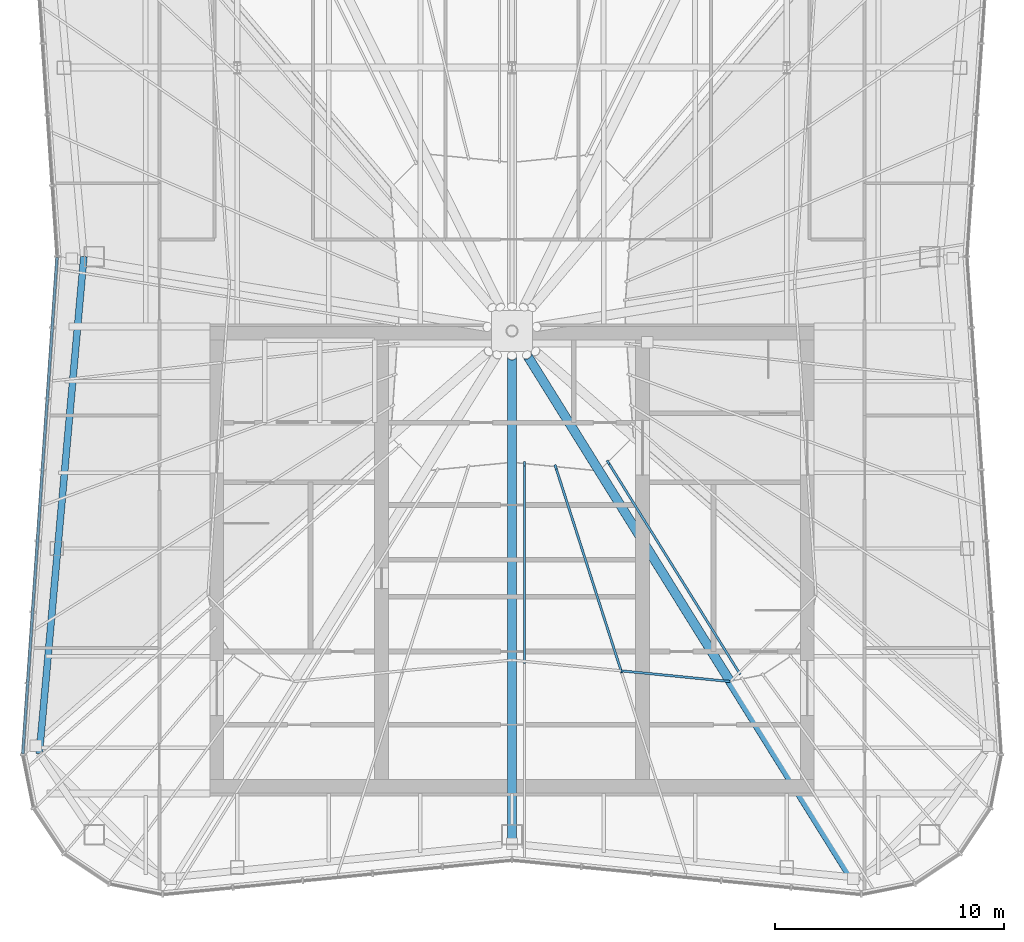
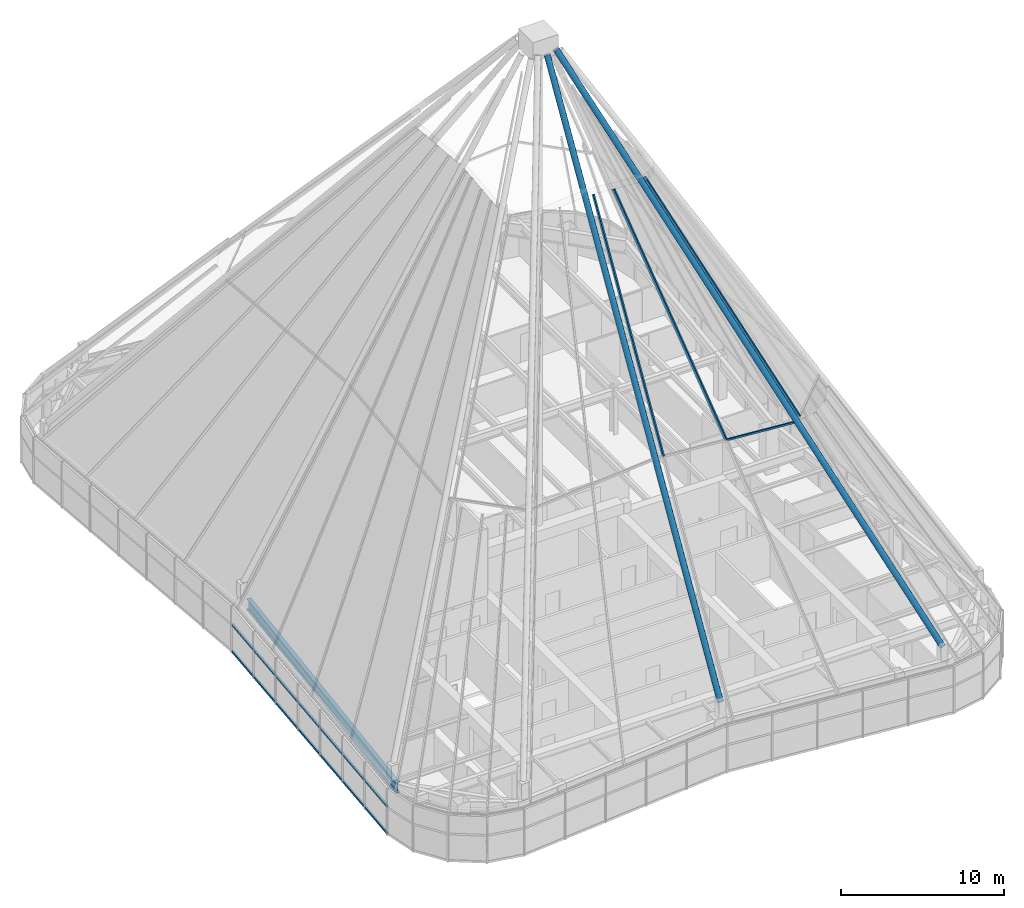
# One storey, part 6 of 28: 8 members, 1 beam, 4 elements without a shape of their own.
"""IFC4 building model written with IfcOpenShell, lengths in metres."""

from ifc_helpers import new_model, si_unit, direction, frame, origin, origin_2d, place, context, subcontext, project, spatial, rectangle, hollow_circle, i_section, extrude, material, material_profile, profile_set, type_object, element, aggregate, save


model = new_model("IFC4")

# Units and contexts
model_context = context("Model", 3, precision=1e-05, world=origin(), true_north=direction((0.0, 1.0)))
body_context = subcontext(model_context, "Body", "Model", "MODEL_VIEW")
ifc_project = project(units=[si_unit("LENGTHUNIT", "METRE"), si_unit("AREAUNIT", "SQUARE_METRE"), si_unit("VOLUMEUNIT", "CUBIC_METRE"), si_unit("PLANEANGLEUNIT", "RADIAN"), si_unit("MASSUNIT", "GRAM", prefix="KILO")], contexts=[model_context])

# Site, building, storey
site_placement = place(None, origin())
site = spatial("IfcSite", under=ifc_project, at=site_placement, CompositionType="ELEMENT")
building_placement = place(site_placement, origin())
building = spatial("IfcBuilding", under=site, at=building_placement, Name="Verdant Reach Tower", CompositionType="ELEMENT")
storey_placement = place(building_placement, frame((0.0, 0.0, 368.0)))
storey = spatial("IfcBuildingStorey", under=building, at=storey_placement, Name="L83 Crown plant", CompositionType="ELEMENT", Elevation=368.0)

# Curtain wall, member
ifc_material_1 = material(Name="Anodised aluminium", Category="aluminium")
curtain_wall_type_1 = type_object("IfcCurtainWallType", Name="EN-CW SYSTEM CROWN APEX", PredefinedType="NOTDEFINED", material=ifc_material_1)
curtain_wall_1_placement = place(storey_placement, origin())
curtain_wall_1 = element("IfcCurtainWall", 1, at=curtain_wall_1_placement, inside=storey, type_object=curtain_wall_type_1, Name="Crown glazing unit south-east corner 1, level 02", PredefinedType="NOTDEFINED")
ifc_material_profile_1 = material_profile(ifc_material_1, rectangle(XDim=0.10009765625, YDim=0.239990234375, at=origin_2d()), Name="Mullion 100x240")
ifc_profile_set_1 = profile_set([ifc_material_profile_1], Name="Anodised aluminium")
member_type_1 = type_object("IfcMemberType", Name="EN-RIB MULLION CROWN", PredefinedType="MULLION", material=ifc_profile_set_1)
member_1_placement = place(storey_placement, frame((9.920166015625, 23.076416015625, 17.9375), z_axis=(-0.316948341502, 0.509195696184, 0.800164665432), x_axis=(-0.848970240375, -0.528440659826, 0.0)))
member_1 = element("IfcMember", 2, at=member_1_placement, type_object=member_type_1, Name="Crown mullion south-east corner 1, level 02", PredefinedType="MULLION", context=body_context, shape_type="SweptSolid", body=[
    extrude(rectangle(XDim=0.10009765625, YDim=0.239990234375, at=origin_2d()), origin(), (0.0, 0.0, 1.0), 18.043212890625),
])
aggregate(curtain_wall_1, [member_1])

curtain_wall_2_placement = place(storey_placement, origin())
curtain_wall_2 = element("IfcCurtainWall", 3, at=curtain_wall_2_placement, inside=storey, type_object=curtain_wall_type_1, Name="Crown glazing unit south face part 2 1, level 02", PredefinedType="NOTDEFINED")
member_2_placement = place(storey_placement, frame((0.54736328125, 23.571044921875, 17.9375), z_axis=(0.0, 0.512855252126, 0.85847509595), x_axis=(-1.0, 0.0, 0.0)))
member_2 = element("IfcMember", 4, at=member_2_placement, type_object=member_type_1, Name="Crown mullion south face part 2 1, level 02", PredefinedType="MULLION", context=body_context, shape_type="SweptSolid", body=[
    extrude(rectangle(XDim=0.10009765625, YDim=0.239990234375, at=origin_2d()), origin(), (0.0, 0.0, 1.0), 16.817626953125),
])
aggregate(curtain_wall_2, [member_2])

# Curtain wall, members
curtain_wall_3_placement = place(storey_placement, origin())
curtain_wall_3 = element("IfcCurtainWall", 5, at=curtain_wall_3_placement, inside=storey, type_object=curtain_wall_type_1, Name="Crown glazing unit south face part 2 2, level 02", PredefinedType="NOTDEFINED")
member_3_placement = place(storey_placement, frame((4.765625, 23.15625, 17.9375), z_axis=(-0.166215002209, 0.517718859338, 0.839249519348), x_axis=(-0.952132785838, -0.305684736506, 0.0)))
member_3 = element("IfcMember", 6, at=member_3_placement, type_object=member_type_1, Name="Crown mullion south face part 2 2, level 02", PredefinedType="MULLION", context=body_context, shape_type="SweptSolid", body=[
    extrude(rectangle(XDim=0.10009765625, YDim=0.239990234375, at=origin_2d()), origin(), (0.0, 0.0, 1.0), 17.202880859375),
])
ifc_material_profile_2 = material_profile(ifc_material_1, rectangle(XDim=0.10009765625, YDim=0.139892578125, at=origin_2d()), Name="Transom 140x100")
ifc_profile_set_2 = profile_set([ifc_material_profile_2], Name="Anodised aluminium")
member_type_2 = type_object("IfcMemberType", Name="EN-TRANSOM CROWN", PredefinedType="USERDEFINED", material=ifc_profile_set_2)
member_4_placement = place(storey_placement, frame((4.765625, 23.15625, 17.9375), z_axis=(0.995197410875, -0.097888269922, 0.0), x_axis=(0.097888269922, 0.995197410875, 0.0)))
member_4 = element("IfcMember", 7, at=member_4_placement, type_object=member_type_2, Name="Crown transom south face part 2 2, level 02", ObjectType="TRANSOM", PredefinedType="USERDEFINED", context=body_context, shape_type="SweptSolid", body=[
    extrude(rectangle(XDim=0.10009765625, YDim=0.139892578125, at=origin_2d()), origin(), (0.0, 0.0, 1.0), 4.78857421875),
])
aggregate(curtain_wall_3, [member_3, member_4])

curtain_wall_type_2 = type_object("IfcCurtainWallType", Name="EN-CW SYSTEM PLANT", PredefinedType="NOTDEFINED", material=ifc_material_1)
curtain_wall_4_placement = place(storey_placement, origin())
curtain_wall_4 = element("IfcCurtainWall", 8, at=curtain_wall_4_placement, inside=storey, type_object=curtain_wall_type_2, Name="Curtain wall west, L83", PredefinedType="NOTDEFINED")
ifc_material_profile_3 = material_profile(ifc_material_1, rectangle(XDim=0.1201171875, YDim=0.14990234375, at=origin_2d()), Name="Transom 150x120")
ifc_profile_set_3 = profile_set([ifc_material_profile_3], Name="Anodised aluminium")
member_type_3 = type_object("IfcMemberType", Name="EN-TRANSOM PLANT", PredefinedType="USERDEFINED", material=ifc_profile_set_3)
member_5_placement = place(storey_placement, frame((-19.871826171875, 41.210205078125, -0.27490234375), z_axis=(-0.068761218296, -0.997633146431, 0.0), x_axis=(0.997633146431, -0.068761218296, 0.0)))
member_5 = element("IfcMember", 9, at=member_5_placement, type_object=member_type_3, Name="Transom west face part 2 1.1, L83", ObjectType="TRANSOM", PredefinedType="USERDEFINED", context=body_context, shape_type="SweptSolid", body=[
    extrude(rectangle(XDim=0.1201171875, YDim=0.14990234375, at=origin_2d()), origin(), (0.0, 0.0, 1.0), 21.7294921875),
])
member_6_placement = place(storey_placement, frame((-19.871826171875, 41.210205078125, 1.75), z_axis=(-0.068761218296, -0.997633146431, 0.0), x_axis=(0.997633146431, -0.068761218296, 0.0)))
member_6 = element("IfcMember", 10, at=member_6_placement, type_object=member_type_3, Name="Transom west face part 2 1.2, L83", ObjectType="TRANSOM", PredefinedType="USERDEFINED", context=body_context, shape_type="SweptSolid", body=[
    extrude(rectangle(XDim=0.1201171875, YDim=0.14990234375, at=origin_2d()), origin(), (0.0, 0.0, 1.0), 21.7294921875),
])
aggregate(curtain_wall_4, [member_5, member_6])

# Members
ifc_material_2 = material(Name="Steel S460", Category="steel")
ifc_material_profile_4 = material_profile(ifc_material_2, hollow_circle(Radius=0.203125, WallThickness=0.01611328125, at=origin_2d()), Name="CHS 406.4x16")
ifc_profile_set_4 = profile_set([ifc_material_profile_4], Name="Steel S460")
member_type_4 = type_object("IfcMemberType", Name="ST-CROWN-RIB", PredefinedType="BRACE", material=ifc_profile_set_4)
member_7_placement = place(storey_placement, frame((14.8984375, 14.064697265625, 4.38720703125), z_axis=(-0.316948388731, 0.50919603925, 0.80016442841), x_axis=(-0.848970364776, -0.52844045997, 0.0)))
element("IfcMember", 11, at=member_7_placement, inside=storey, type_object=member_type_4, Name="Crown rib 1", PredefinedType="BRACE", context=body_context, shape_type="SweptSolid", body=[
    extrude(hollow_circle(Radius=0.203125, WallThickness=0.01611328125, at=origin_2d()), origin(), (0.0, 0.0, 1.0), 44.937744140625),
])
member_8_placement = place(storey_placement, frame((0.0, 15.59716796875, 4.49951171875), z_axis=(0.0, 0.512853340369, 0.858476238036), x_axis=(-1.0, 0.0, 0.0)))
element("IfcMember", 12, at=member_8_placement, inside=storey, type_object=member_type_4, Name="Crown rib 12", PredefinedType="BRACE", context=body_context, shape_type="SweptSolid", body=[
    extrude(hollow_circle(Radius=0.203125, WallThickness=0.01611328125, at=origin_2d()), origin(), (0.0, 0.0, 1.0), 41.5576171875),
])

# Beam
ifc_material_3 = material(Name="Steel S355", Category="steel")
ifc_material_profile_5 = material_profile(ifc_material_3, i_section(OverallWidth=0.300048828125, OverallDepth=0.800048828125, WebThickness=0.017578125, FlangeThickness=0.032958984375, FilletRadius=0.030029296875, at=origin_2d()), Name="HEB 800")
ifc_profile_set_5 = profile_set([ifc_material_profile_5], Name="Steel S355")
beam_type = type_object("IfcBeamType", Name="ST-SPANDREL-HEB800", PredefinedType="SPANDREL", material=ifc_profile_set_5)
beam_placement = place(storey_placement, frame((-20.64599609375, 19.53857421875, 2.89990234375), z_axis=(0.089274399498, 0.996007069048, 0.0), x_axis=(-0.996007069048, 0.089274399498, 0.0)))
element("IfcBeam", 13, at=beam_placement, inside=storey, type_object=beam_type, Name="Edge beam, L83 Crown plant", PredefinedType="SPANDREL", context=body_context, shape_type="SweptSolid", body=[
    extrude(i_section(OverallWidth=0.300048828125, OverallDepth=0.800048828125, WebThickness=0.017578125, FlangeThickness=0.032958984375, FilletRadius=0.030029296875, at=origin_2d()), origin(), (0.0, 0.0, 1.0), 21.798583984375),
])

save(model, "model.ifc")
